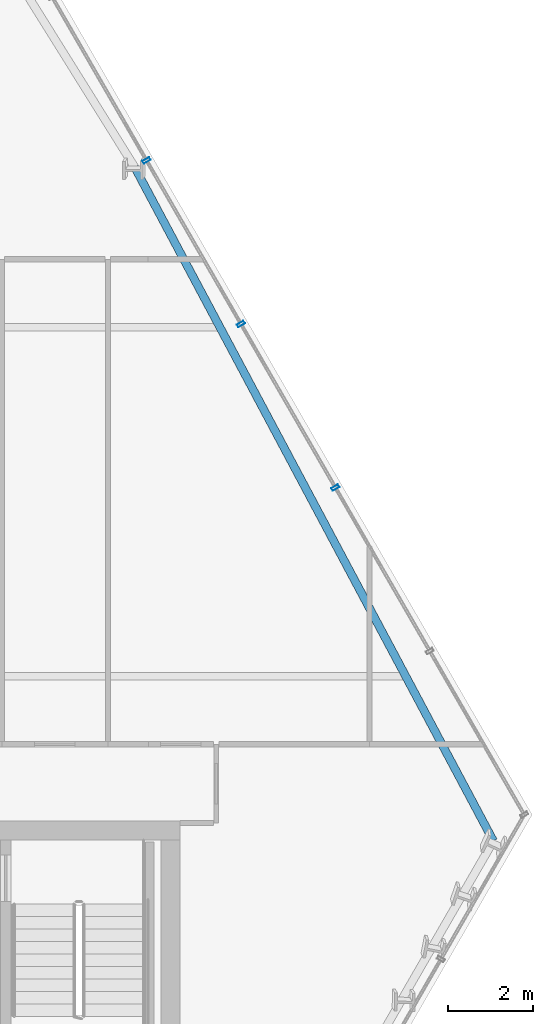
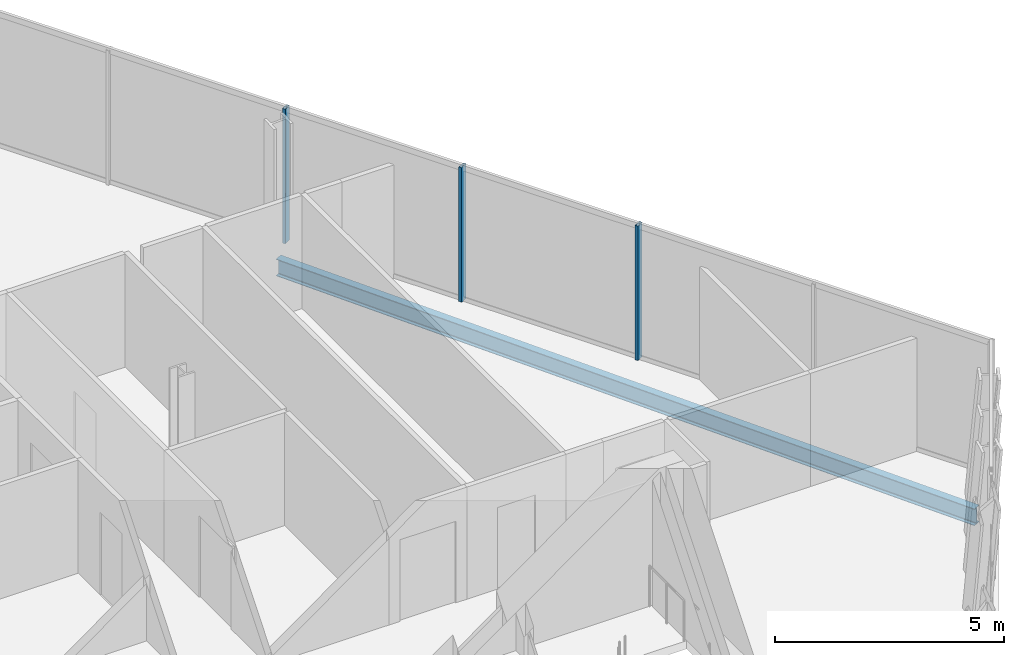
# One storey, part 17 of 31: 3 members, 1 beam, 1 element without a shape of its own.
"""IFC4 building model written with IfcOpenShell, lengths in metres."""

from ifc_helpers import new_model, si_unit, direction, frame, origin, origin_2d, place, context, subcontext, project, spatial, hollow_rectangle, i_section, extrude, material, layer, layer_set, material_profile, profile_set, type_object, element, aggregate, save


model = new_model("IFC4")

# Units and contexts
model_context = context("Model", 3, precision=1e-05, world=origin(), true_north=direction((0.0, 1.0)))
body_context = subcontext(model_context, "Body", "Model", "MODEL_VIEW")
ifc_project = project(units=[si_unit("LENGTHUNIT", "METRE"), si_unit("AREAUNIT", "SQUARE_METRE"), si_unit("VOLUMEUNIT", "CUBIC_METRE"), si_unit("PLANEANGLEUNIT", "RADIAN"), si_unit("MASSUNIT", "GRAM", prefix="KILO")], contexts=[model_context])

# Site, building, storey
site_placement = place(None, origin())
site = spatial("IfcSite", under=ifc_project, at=site_placement, CompositionType="ELEMENT")
building_placement = place(site_placement, origin())
building = spatial("IfcBuilding", under=site, at=building_placement, Name="Ndaravel Arena Tower", CompositionType="ELEMENT")
storey_placement = place(building_placement, frame((0.0, 0.0, 146.0)))
storey = spatial("IfcBuildingStorey", under=building, at=storey_placement, Name="L34", CompositionType="ELEMENT", Elevation=146.0)

# Beam
ifc_material_1 = material(Name="Steel S355", Category="steel")
ifc_material_profile_1 = material_profile(ifc_material_1, i_section(OverallWidth=0.18994140625, OverallDepth=0.449951171875, WebThickness=0.009521484375, FlangeThickness=0.0146484375, FilletRadius=0.02099609375, at=origin_2d()), Name="IPE 450")
ifc_profile_set_1 = profile_set([ifc_material_profile_1], Name="Steel S355")
beam_type = type_object("IfcBeamType", Name="BM-SPAN-IPE450", PredefinedType="SPANDREL", material=ifc_profile_set_1)
beam_placement = place(storey_placement, frame((64.9140625, 14.726806640625, -0.445068359375), z_axis=(-0.469938352002, 0.882699238313, 0.0), x_axis=(-0.882699238313, -0.469938352002, 0.0)))
element("IfcBeam", 1, at=beam_placement, inside=storey, type_object=beam_type, Name="L34 Perimeter Spandrel Beam SP-09", PredefinedType="SPANDREL", context=body_context, shape_type="SweptSolid", body=[
    extrude(i_section(OverallWidth=0.18994140625, OverallDepth=0.449951171875, WebThickness=0.009521484375, FlangeThickness=0.0146484375, FilletRadius=0.02099609375, at=origin_2d()), origin(), (0.0, 0.0, 1.0), 17.94189453125),
])

# Curtain wall, members
ifc_material_2 = material(Name="Aluminium", Category="aluminium")
ifc_layer = layer(ifc_material_2, 0.179931640625)
ifc_layer_set = layer_set([ifc_layer], Name="Aluminium")
curtain_wall_type = type_object("IfcCurtainWallType", Name="CW-SYS-03", PredefinedType="NOTDEFINED", material=ifc_layer_set)
curtain_wall_placement = place(storey_placement, origin())
curtain_wall = element("IfcCurtainWall", 2, at=curtain_wall_placement, inside=storey, type_object=curtain_wall_type, Name="L34 Faceted Crystal Curtain Wall CW-L34-E03", PredefinedType="NOTDEFINED")
ifc_material_3 = material(Name="Aluminium", Category="aluminium")
ifc_material_profile_2 = material_profile(ifc_material_3, hollow_rectangle(XDim=0.074951171875, YDim=0.179931640625, WallThickness=0.00390625, at=origin_2d()), Name="CW MULLION 75x180x4")
ifc_profile_set_2 = profile_set([ifc_material_profile_2], Name="Aluminium")
member_type = type_object("IfcMemberType", Name="MEM-CW-MUL180", PredefinedType="MULLION", material=ifc_profile_set_2)
member_1_placement = place(storey_placement, frame((61.199462890625, 23.03369140625, 0.0), z_axis=(0.0, 0.0, 1.0), x_axis=(-0.5, 0.866025403784, 0.0)))
member_1 = element("IfcMember", 3, at=member_1_placement, type_object=member_type, Name="CW-L34-E03 Mullion 02", PredefinedType="MULLION", context=body_context, shape_type="SweptSolid", body=[
    extrude(hollow_rectangle(XDim=0.074951171875, YDim=0.179931640625, WallThickness=0.00390625, at=origin_2d()), origin(), (0.0, 0.0, 1.0), 3.580078125),
])
member_2_placement = place(storey_placement, frame((58.9794921875, 26.87890625, 0.0), z_axis=(0.0, 0.0, 1.0), x_axis=(-0.5, 0.866025403784, 0.0)))
member_2 = element("IfcMember", 4, at=member_2_placement, type_object=member_type, Name="CW-L34-E03 Mullion 03", PredefinedType="MULLION", context=body_context, shape_type="SweptSolid", body=[
    extrude(hollow_rectangle(XDim=0.074951171875, YDim=0.179931640625, WallThickness=0.00390625, at=origin_2d()), origin(), (0.0, 0.0, 1.0), 3.580078125),
])
member_3_placement = place(storey_placement, frame((56.759521484375, 30.72412109375, 0.0), z_axis=(0.0, 0.0, 1.0), x_axis=(-0.5, 0.866025403784, 0.0)))
member_3 = element("IfcMember", 5, at=member_3_placement, type_object=member_type, Name="CW-L34-E03 Mullion 04", PredefinedType="MULLION", context=body_context, shape_type="SweptSolid", body=[
    extrude(hollow_rectangle(XDim=0.074951171875, YDim=0.179931640625, WallThickness=0.00390625, at=origin_2d()), origin(), (0.0, 0.0, 1.0), 3.580078125),
])
aggregate(curtain_wall, [member_1, member_2, member_3])

save(model, "model.ifc")
